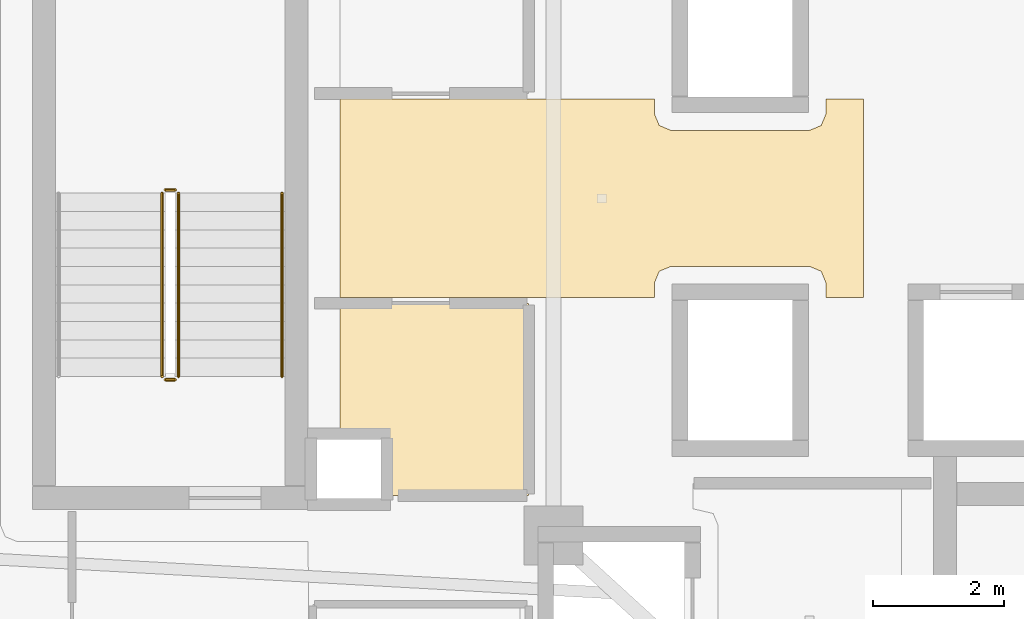
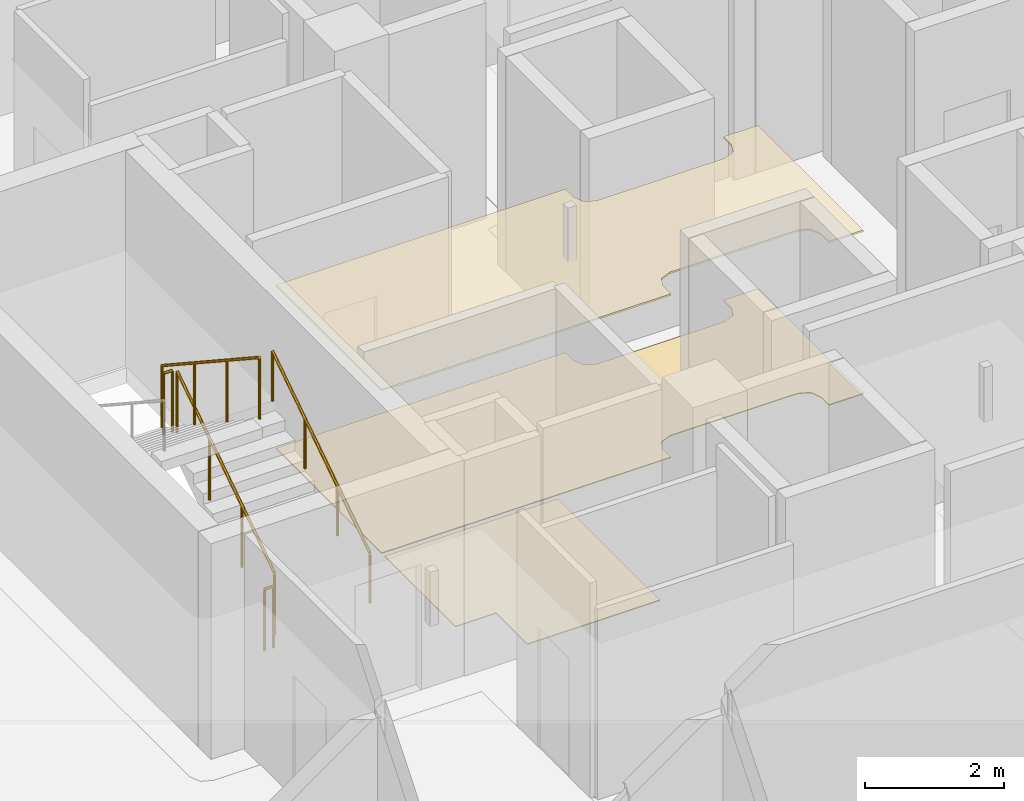
# One storey, part 32 of 37: 5 railings, 3 coverings.
"""IFC4 building model written with IfcOpenShell, lengths in metres."""

from ifc_helpers import new_model, si_unit, direction, frame, origin, origin_2d, place, context, subcontext, project, spatial, polyline, circle, outline, extrude, material, layer, layer_set, type_object, element, save


model = new_model("IFC4")

# Units and contexts
model_context = context("Model", 3, precision=1e-05, world=origin(), true_north=direction((0.0, 1.0)))
body_context = subcontext(model_context, "Body", "Model", "MODEL_VIEW")
ifc_project = project(units=[si_unit("LENGTHUNIT", "METRE"), si_unit("AREAUNIT", "SQUARE_METRE"), si_unit("VOLUMEUNIT", "CUBIC_METRE"), si_unit("PLANEANGLEUNIT", "RADIAN"), si_unit("MASSUNIT", "GRAM", prefix="KILO")], contexts=[model_context])

# Site, building, storey
site_placement = place(None, origin())
site = spatial("IfcSite", under=ifc_project, at=site_placement, CompositionType="ELEMENT")
building_placement = place(site_placement, origin())
building = spatial("IfcBuilding", under=site, at=building_placement, Name="Qorvath Tower", CompositionType="ELEMENT")
storey_placement = place(building_placement, frame((0.0, 0.0, 196.949951171875)))
storey = spatial("IfcBuildingStorey", under=building, at=storey_placement, Name="L45", CompositionType="ELEMENT", Elevation=196.949951171875)

# Coverings
ifc_material_1 = material(Name="Acoustic mineral fibre ceiling tile", Category="gypsum")
ifc_layer_1 = layer(ifc_material_1, 0.030029296875)
ifc_layer_set_1 = layer_set([ifc_layer_1], Name="COV-CEIL")
covering_type_1 = type_object("IfcCoveringType", Name="COV-CEIL", PredefinedType="CEILING", material=ifc_layer_set_1)
covering_1_placement = place(storey_placement, frame((0.0, 0.0, 2.85009765625)))
element("IfcCovering", 1, at=covering_1_placement, inside=storey, type_object=covering_type_1, Name="L45 Suspended Acoustic Ceiling 011", PredefinedType="CEILING", context=body_context, shape_type="SweptSolid", body=[
    extrude(outline(polyline([(-25.76806640625, -1.514892578125), (-25.76806640625, 1.514892578125), (-26.340087890625, 1.514892578125), (-26.340087890625, 1.2900390625), (-26.413330078125, 1.11328125), (-26.590087890625, 1.0400390625), (-28.7099609375, 1.0400390625), (-28.88671875, 1.11328125), (-28.9599609375, 1.2900390625), (-28.9599609375, 1.514892578125), (-33.760009765625, 1.514892578125), (-33.760009765625, -1.514892578125), (-28.9599609375, -1.514892578125), (-28.9599609375, -1.2900390625), (-28.88671875, -1.11328125), (-28.7099609375, -1.0400390625), (-26.590087890625, -1.0400390625), (-26.413330078125, -1.11328125), (-26.340087890625, -1.2900390625), (-26.340087890625, -1.514892578125), (-25.76806640625, -1.514892578125)])), origin(), (0.0, 0.0, 1.0), 0.030029296875),
])
ifc_material_2 = material(Name="Low-VOC modular carpet tile", Category="textile")
ifc_layer_2 = layer(ifc_material_2, 0.014892578125)
ifc_layer_set_2 = layer_set([ifc_layer_2], Name="COV-FLOOR-CPT")
covering_type_2 = type_object("IfcCoveringType", Name="COV-FLOOR-CPT", PredefinedType="FLOORING", material=ifc_layer_set_2)
covering_2_placement = place(storey_placement, origin())
element("IfcCovering", 2, at=covering_2_placement, inside=storey, type_object=covering_type_2, Name="L45 Floor Finish 008", PredefinedType="FLOORING", context=body_context, shape_type="SweptSolid", body=[
    extrude(outline(polyline([(-30.885009765625, -4.534912109375), (-30.885009765625, -1.60498046875), (-33.760009765625, -1.60498046875), (-33.760009765625, -3.636962890625), (-33.08837890625, -3.638427734375), (-33.0869140625, -4.534912109375), (-30.885009765625, -4.534912109375)])), origin(), (0.0, 0.0, 1.0), 0.01513671875),
])
ifc_material_3 = material(Name="Polished epoxy terrazzo flooring", Category="concrete")
ifc_layer_3 = layer(ifc_material_3, 0.02001953125)
ifc_layer_set_3 = layer_set([ifc_layer_3], Name="COV-FLOOR-TRZ")
covering_type_3 = type_object("IfcCoveringType", Name="COV-FLOOR-TRZ", PredefinedType="FLOORING", material=ifc_layer_set_3)
covering_3_placement = place(storey_placement, origin())
element("IfcCovering", 3, at=covering_3_placement, inside=storey, type_object=covering_type_3, Name="L45 Floor Finish 011", PredefinedType="FLOORING", context=body_context, shape_type="SweptSolid", body=[
    extrude(outline(polyline([(-25.76806640625, -1.514892578125), (-25.76806640625, 1.514892578125), (-26.340087890625, 1.514892578125), (-26.340087890625, 1.2900390625), (-26.413330078125, 1.11328125), (-26.590087890625, 1.0400390625), (-28.7099609375, 1.0400390625), (-28.88671875, 1.11328125), (-28.9599609375, 1.2900390625), (-28.9599609375, 1.514892578125), (-33.760009765625, 1.514892578125), (-33.760009765625, -1.514892578125), (-28.9599609375, -1.514892578125), (-28.9599609375, -1.2900390625), (-28.88671875, -1.11328125), (-28.7099609375, -1.0400390625), (-26.590087890625, -1.0400390625), (-26.413330078125, -1.11328125), (-26.340087890625, -1.2900390625), (-26.340087890625, -1.514892578125), (-25.76806640625, -1.514892578125)])), origin(), (0.0, 0.0, 1.0), 0.01513671875),
])

# Railings
ifc_material_4 = material(Name="Painted galvanised steel", Category="steel")
railing_type_1 = type_object("IfcRailingType", Name="RL-STR-GRD", PredefinedType="GUARDRAIL", material=ifc_material_4)
railing_1_placement = place(storey_placement, frame((-36.22998046875, -2.719970703125, 0.18408203125)))
element("IfcRailing", 4, at=railing_1_placement, inside=storey, type_object=railing_type_1, Name="L45 TS3 stair guard 1", PredefinedType="GUARDRAIL", context=body_context, shape_type="SweptSolid", body=[
    extrude(circle(Radius=0.02392578125, at=origin_2d()), frame((0.0, 0.0, 1.076171875), z_axis=(0.0, 0.83556406348, 0.549393024911), x_axis=(-1.0, 0.0, 0.0)), (0.0, 0.0, 1.0), 3.35107421875),
    extrude(circle(Radius=0.02099609375, at=origin_2d()), origin(), (0.0, 0.0, 1.0), 1.052001953125),
    extrude(circle(Radius=0.02099609375, at=origin_2d()), frame((0.0, 0.933349609375, 0.61376953125)), (0.0, 0.0, 1.0), 1.052001953125),
    extrude(circle(Radius=0.02099609375, at=origin_2d()), frame((0.0, 1.86669921875, 1.227294921875)), (0.0, 0.0, 1.0), 1.052001953125),
    extrude(circle(Radius=0.02099609375, at=origin_2d()), frame((0.0, 2.800048828125, 1.841064453125)), (0.0, 0.0, 1.0), 1.052001953125),
])
railing_2_placement = place(storey_placement, frame((-36.280029296875, 0.1298828125, 2.025146484375)))
element("IfcRailing", 5, at=railing_2_placement, inside=storey, type_object=railing_type_1, Name="L45 TS3 stair guard 2", PredefinedType="GUARDRAIL", context=body_context, shape_type="SweptSolid", body=[
    extrude(circle(Radius=0.02392578125, at=origin_2d()), frame((0.0, 0.0, 1.076171875), z_axis=(-1.0, 0.0, 0.0), x_axis=(0.0, -1.0, 0.0)), (0.0, 0.0, 1.0), 0.14990234375),
    extrude(circle(Radius=0.02099609375, at=origin_2d()), origin(), (0.0, 0.0, 1.0), 1.052001953125),
    extrude(circle(Radius=0.02099609375, at=origin_2d()), frame((-0.14990234375, 0.0, 0.0)), (0.0, 0.0, 1.0), 1.052001953125),
])
railing_3_placement = place(storey_placement, frame((-36.47998046875, 0.080078125, 2.209228515625)))
element("IfcRailing", 6, at=railing_3_placement, inside=storey, type_object=railing_type_1, Name="L45 TS3 stair guard 3", PredefinedType="GUARDRAIL", context=body_context, shape_type="SweptSolid", body=[
    extrude(circle(Radius=0.02392578125, at=origin_2d()), frame((0.0, 0.0, 1.076171875), z_axis=(0.0, -0.835597507184, 0.549342157483), x_axis=(1.0, 0.0, 0.0)), (0.0, 0.0, 1.0), 3.35107421875),
    extrude(circle(Radius=0.02099609375, at=origin_2d()), origin(), (0.0, 0.0, 1.0), 1.052001953125),
    extrude(circle(Radius=0.02099609375, at=origin_2d()), frame((0.0, -0.933349609375, 0.613525390625)), (0.0, 0.0, 1.0), 1.052001953125),
    extrude(circle(Radius=0.02099609375, at=origin_2d()), frame((0.0, -1.86669921875, 1.227294921875)), (0.0, 0.0, 1.0), 1.052001953125),
    extrude(circle(Radius=0.02099609375, at=origin_2d()), frame((0.0, -2.800048828125, 1.8408203125)), (0.0, 0.0, 1.0), 1.052001953125),
])
railing_4_placement = place(storey_placement, frame((-36.280029296875, -2.77001953125, 0.0)))
element("IfcRailing", 7, at=railing_4_placement, inside=storey, type_object=railing_type_1, Name="L45 TS3 stair guard 4", PredefinedType="GUARDRAIL", context=body_context, shape_type="SweptSolid", body=[
    extrude(circle(Radius=0.02392578125, at=origin_2d()), frame((0.0, 0.0, 1.076171875), z_axis=(-1.0, 0.0, 0.0), x_axis=(0.0, -1.0, 0.0)), (0.0, 0.0, 1.0), 0.14990234375),
    extrude(circle(Radius=0.02099609375, at=origin_2d()), origin(), (0.0, 0.0, 1.0), 1.052001953125),
    extrude(circle(Radius=0.02099609375, at=origin_2d()), frame((-0.14990234375, 0.0, 0.0)), (0.0, 0.0, 1.0), 1.052001953125),
])
ifc_material_5 = material(Name="Brushed stainless steel AISI 304", Category="steel")
railing_type_2 = type_object("IfcRailingType", Name="RL-STR-HND", PredefinedType="HANDRAIL", material=ifc_material_5)
railing_5_placement = place(storey_placement, frame((-34.64990234375, -2.719970703125, 0.18408203125)))
element("IfcRailing", 8, at=railing_5_placement, inside=storey, type_object=railing_type_2, Name="L45 TS3 stair handrail 1", PredefinedType="HANDRAIL", context=body_context, shape_type="SweptSolid", body=[
    extrude(circle(Radius=0.02392578125, at=origin_2d()), frame((0.0, 0.0, 0.8759765625), z_axis=(0.0, 0.83556406348, 0.549393024911), x_axis=(-1.0, 0.0, 0.0)), (0.0, 0.0, 1.0), 3.35107421875),
    extrude(circle(Radius=0.02099609375, at=origin_2d()), origin(), (0.0, 0.0, 1.0), 0.851806640625),
    extrude(circle(Radius=0.02099609375, at=origin_2d()), frame((0.0, 0.933349609375, 0.61376953125)), (0.0, 0.0, 1.0), 0.851806640625),
    extrude(circle(Radius=0.02099609375, at=origin_2d()), frame((0.0, 1.86669921875, 1.227294921875)), (0.0, 0.0, 1.0), 0.851806640625),
    extrude(circle(Radius=0.02099609375, at=origin_2d()), frame((0.0, 2.800048828125, 1.841064453125)), (0.0, 0.0, 1.0), 0.851806640625),
])

save(model, "model.ifc")
